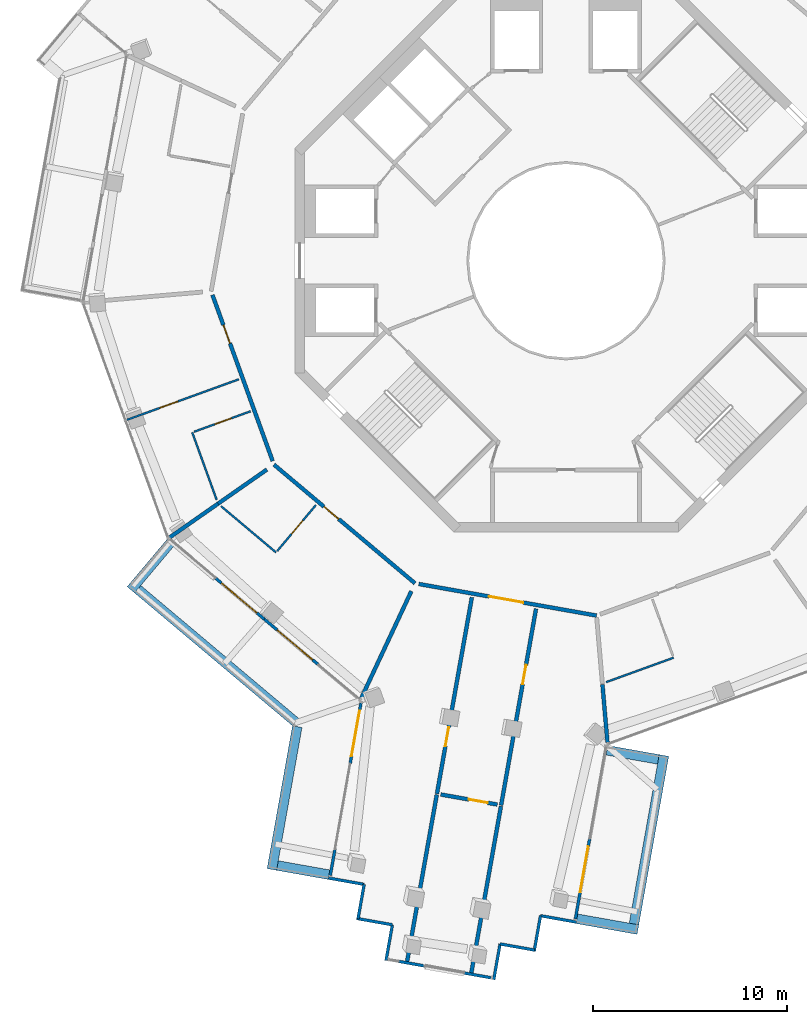
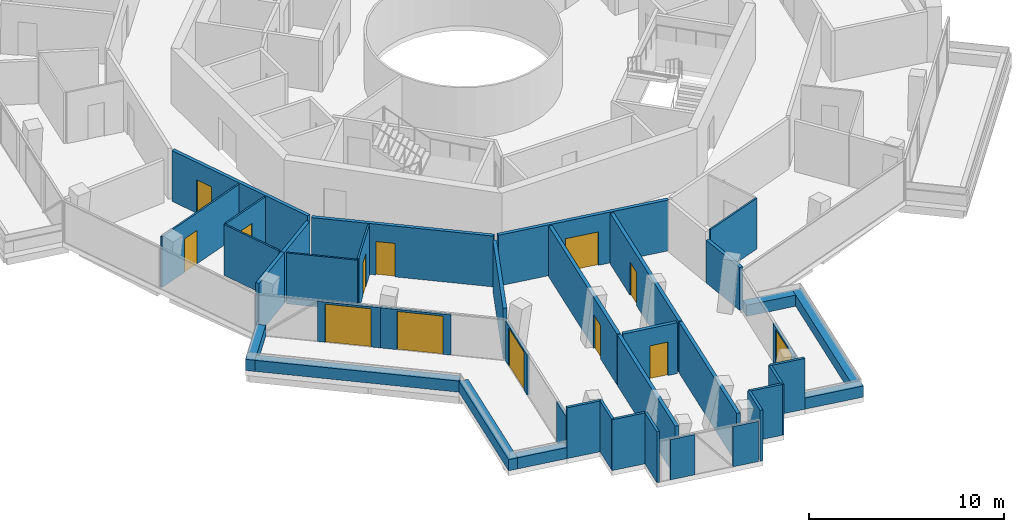
# One storey, part 14 of 22: 40 walls, 13 doors, 13 openings.
"""IFC4 building model written with IfcOpenShell, lengths in metres."""

from ifc_helpers import new_model, si_unit, direction, frame, frame_2d, origin, place, context, subcontext, project, spatial, rectangle, extrude, material, layer, layer_set, type_object, element, fill, save


model = new_model("IFC4")

# Units and contexts
model_context = context("Model", 3, precision=1e-05, world=origin(), true_north=direction((0.0, 1.0)))
body_context = subcontext(model_context, "Body", "Model", "MODEL_VIEW")
ifc_project = project(units=[si_unit("LENGTHUNIT", "METRE"), si_unit("AREAUNIT", "SQUARE_METRE"), si_unit("VOLUMEUNIT", "CUBIC_METRE"), si_unit("PLANEANGLEUNIT", "RADIAN"), si_unit("MASSUNIT", "GRAM", prefix="KILO")], contexts=[model_context])

# Site, building, storey
site_placement = place(None, origin())
site = spatial("IfcSite", under=ifc_project, at=site_placement, CompositionType="ELEMENT")
building_placement = place(site_placement, origin())
building = spatial("IfcBuilding", under=site, at=building_placement, Name="Verdalira Terraces Hotel", CompositionType="ELEMENT")
storey_placement = place(building_placement, frame((0.0, 0.0, 237.5)))
storey = spatial("IfcBuildingStorey", under=building, at=storey_placement, Name="L58", CompositionType="ELEMENT", Elevation=237.5)

# Walls
ifc_material_1 = material(Name="Concrete C40", Category="concrete")
ifc_layer_1 = layer(ifc_material_1, 0.5)
ifc_layer_set_1 = layer_set([ifc_layer_1], Name="Balcony planter trough with tree")
wall_type_1 = type_object("IfcWallType", Name="Balcony planter trough with tree", PredefinedType="SOLIDWALL", material=ifc_layer_set_1)
wall_1_placement = place(storey_placement, frame((-20.401611, -14.537842, 0.0), z_axis=(0.0, 0.0, 1.0), x_axis=(-0.64387015, -0.765134779, 0.0)))
element("IfcWall", 1, at=wall_1_placement, inside=storey, type_object=wall_type_1, Name="Balcony planter", PredefinedType="SOLIDWALL", context=body_context, shape_type="SweptSolid", body=[
    extrude(rectangle(XDim=3.199219, YDim=0.5, at=frame_2d((1.599609, 0.0))), origin(), (0.0, 0.0, 1.0), 0.699951),
])
wall_2_placement = place(storey_placement, frame((-22.109131, -16.955322, 0.0), z_axis=(0.0, 0.0, 1.0), x_axis=(0.765144719, -0.643858337, 0.0)))
element("IfcWall", 2, at=wall_2_placement, inside=storey, type_object=wall_type_1, Name="Balcony planter", PredefinedType="SOLIDWALL", context=body_context, shape_type="SweptSolid", body=[
    extrude(rectangle(XDim=10.652344, YDim=0.5, at=frame_2d((5.326172, 0.0))), origin(), (0.0, 0.0, 1.0), 0.699951),
])
wall_3_placement = place(storey_placement, frame((-13.873291, -24.048828, 0.0), z_axis=(0.0, 0.0, 1.0), x_axis=(-0.175031228, -0.984562882, 0.0)))
element("IfcWall", 3, at=wall_3_placement, inside=storey, type_object=wall_type_1, Name="Balcony planter", PredefinedType="SOLIDWALL", context=body_context, shape_type="SweptSolid", body=[
    extrude(rectangle(XDim=7.489014, YDim=0.5, at=frame_2d((3.744629, 0.0))), origin(), (0.0, 0.0, 1.0), 0.699951),
])
wall_4_placement = place(storey_placement, frame((-14.894043, -31.219727, 0.0), z_axis=(0.0, 0.0, 1.0), x_axis=(0.984561469, -0.175039181, 0.0)))
element("IfcWall", 4, at=wall_4_placement, inside=storey, type_object=wall_type_1, Name="Balcony planter", PredefinedType="SOLIDWALL", context=body_context, shape_type="SweptSolid", body=[
    extrude(rectangle(XDim=2.698975, YDim=0.5, at=frame_2d((1.349609, 0.0))), origin(), (0.0, 0.0, 1.0), 0.699951),
])
wall_5_placement = place(storey_placement, frame((0.564697, -33.967773, 0.0), z_axis=(0.0, 0.0, 1.0), x_axis=(0.984566892, -0.175008673, 0.0)))
element("IfcWall", 5, at=wall_5_placement, inside=storey, type_object=wall_type_1, Name="Balcony planter", PredefinedType="SOLIDWALL", context=body_context, shape_type="SweptSolid", body=[
    extrude(rectangle(XDim=3.19873, YDim=0.5, at=frame_2d((1.599365, 0.0))), origin(), (0.0, 0.0, 1.0), 0.699951),
])
wall_6_placement = place(storey_placement, frame((3.511719, -34.237793, 0.0), z_axis=(0.0, 0.0, 1.0), x_axis=(0.175030359, 0.984563037, 0.0)))
element("IfcWall", 6, at=wall_6_placement, inside=storey, type_object=wall_type_1, Name="Balcony planter", PredefinedType="SOLIDWALL", context=body_context, shape_type="SweptSolid", body=[
    extrude(rectangle(XDim=8.836426, YDim=0.5, at=frame_2d((4.418213, 0.0))), origin(), (0.0, 0.0, 1.0), 0.699951),
])
wall_7_placement = place(storey_placement, frame((4.768555, -25.740234, 0.0), z_axis=(0.0, 0.0, 1.0), x_axis=(-0.98456424, 0.175023592, 0.0)))
element("IfcWall", 7, at=wall_7_placement, inside=storey, type_object=wall_type_1, Name="Balcony planter", PredefinedType="SOLIDWALL", context=body_context, shape_type="SweptSolid", body=[
    extrude(rectangle(XDim=2.699219, YDim=0.5, at=frame_2d((1.349609, 0.0))), origin(), (0.0, 0.0, 1.0), 0.699951),
])

# Wall, opening, door
ifc_material_2 = material(Name="Moisture-resistant gypsum board partition")
ifc_layer_2 = layer(ifc_material_2, 0.10009765625)
ifc_layer_set_2 = layer_set([ifc_layer_2], Name="Bathroom partition 100 mm")
wall_type_2 = type_object("IfcWallType", Name="Bathroom partition 100 mm", PredefinedType="PARTITIONING", material=ifc_layer_set_2)
wall_8_placement = place(storey_placement, frame((-16.883789, -6.118408, 0.0), z_axis=(0.0, 0.0, 1.0), x_axis=(-0.940167222, -0.340713362, 0.0)))
wall_8 = element("IfcWall", 8, at=wall_8_placement, inside=storey, type_object=wall_type_2, Name="Bathroom partition", PredefinedType="PARTITIONING", context=body_context, shape_type="SweptSolid", body=[
    extrude(rectangle(XDim=6.150146, YDim=0.100098, at=frame_2d((3.075195, 0.0))), origin(), (0.0, 0.0, 1.0), 3.189941),
])
opening_1_placement = place(wall_8_placement, frame((3.350098, 0.0, 0.0)))
opening_1 = element("IfcOpeningElement", 9, at=opening_1_placement, cuts=wall_8, Name="Opening L58-107", PredefinedType="OPENING", context=body_context, shape_type="SweptSolid", body=[
    extrude(rectangle(XDim=1.0, YDim=2.100098, at=frame_2d((0.5, 1.050049))), frame((0.0, 0.060059, 0.0), z_axis=(0.0, -1.0, 0.0), x_axis=(1.0, 0.0, 0.0)), (0.0, 0.0, 1.0), 0.120117),
])
ifc_material_3 = material(Name="Timber door", Category="wood")
door_type_1 = type_object("IfcDoorType", Name="Suite internal door 1000 x 2100", OperationType="NOTDEFINED", PredefinedType="DOOR", material=ifc_material_3)
door_1_placement = place(opening_1_placement, origin())
door_1 = element("IfcDoor", 10, at=door_1_placement, inside=storey, type_object=door_type_1, Name="Suite internal door 5803", OperationType="SINGLE_SWING_LEFT", OverallHeight=2.10009765625, OverallWidth=1.0, PredefinedType="DOOR", context=body_context, shape_type="SweptSolid", body=[
    extrude(rectangle(XDim=1.0, YDim=2.100098, at=frame_2d((0.5, 1.050049))), frame((0.0, 0.024902, 0.0), z_axis=(0.0, -1.0, 0.0), x_axis=(1.0, 0.0, 0.0)), (0.0, 0.0, 1.0), 0.050049),
])
fill(opening_1, door_1)

# Wall
wall_9_placement = place(storey_placement, frame((-19.293213, -8.861816, 0.0), z_axis=(0.0, 0.0, 1.0), x_axis=(0.340642022, -0.940193072, 0.0)))
element("IfcWall", 11, at=wall_9_placement, inside=storey, type_object=wall_type_2, Name="Bathroom partition", PredefinedType="PARTITIONING", context=body_context, shape_type="SweptSolid", body=[
    extrude(rectangle(XDim=3.703857, YDim=0.100098, at=frame_2d((1.852051, 0.0))), origin(), (0.0, 0.0, 1.0), 3.189941),
])

# Wall, opening, door
wall_10_placement = place(storey_placement, frame((-16.284912, -7.771729, 0.0), z_axis=(0.0, 0.0, 1.0), x_axis=(-0.940165397, -0.340718397, 0.0)))
wall_10 = element("IfcWall", 12, at=wall_10_placement, inside=storey, type_object=wall_type_2, Name="Bathroom partition", PredefinedType="PARTITIONING", context=body_context, shape_type="SweptSolid", body=[
    extrude(rectangle(XDim=3.099854, YDim=0.100098, at=frame_2d((1.549805, 0.0))), origin(), (0.0, 0.0, 1.0), 3.189941),
])
opening_2_placement = place(wall_10_placement, frame((1.050049, 0.0, 0.0)))
opening_2 = element("IfcOpeningElement", 13, at=opening_2_placement, cuts=wall_10, Name="Opening L58-108", PredefinedType="OPENING", context=body_context, shape_type="SweptSolid", body=[
    extrude(rectangle(XDim=0.899902, YDim=2.100098, at=frame_2d((0.449951, 1.050049))), frame((0.0, 0.060059, 0.0), z_axis=(0.0, -1.0, 0.0), x_axis=(1.0, 0.0, 0.0)), (0.0, 0.0, 1.0), 0.120117),
])
ifc_material_4 = material(Name="Timber door", Category="wood")
door_type_2 = type_object("IfcDoorType", Name="Bathroom door 900 x 2100", OperationType="NOTDEFINED", PredefinedType="DOOR", material=ifc_material_4)
door_2_placement = place(opening_2_placement, origin())
door_2 = element("IfcDoor", 14, at=door_2_placement, inside=storey, type_object=door_type_2, Name="Bathroom door 5803", OperationType="SINGLE_SWING_RIGHT", OverallHeight=2.10009765625, OverallWidth=0.89990234375, PredefinedType="DOOR", context=body_context, shape_type="SweptSolid", body=[
    extrude(rectangle(XDim=0.899902, YDim=2.100098, at=frame_2d((0.449951, 1.050049))), frame((0.0, 0.024902, 0.0), z_axis=(0.0, -1.0, 0.0), x_axis=(1.0, 0.0, 0.0)), (0.0, 0.0, 1.0), 0.050049),
])
fill(opening_2, door_2)

# Wall
wall_11_placement = place(storey_placement, frame((-14.968262, -15.057129, 0.0), z_axis=(0.0, 0.0, 1.0), x_axis=(-0.765155095, 0.643846007, 0.0)))
element("IfcWall", 15, at=wall_11_placement, inside=storey, type_object=wall_type_2, Name="Bathroom partition", PredefinedType="PARTITIONING", context=body_context, shape_type="SweptSolid", body=[
    extrude(rectangle(XDim=3.711182, YDim=0.100098, at=frame_2d((1.855469, 0.0))), origin(), (0.0, 0.0, 1.0), 3.189941),
])

# Wall, opening, door
wall_12_placement = place(storey_placement, frame((-14.903809, -14.980713, 0.0), z_axis=(0.0, 0.0, 1.0), x_axis=(0.643817992, 0.765178668, 0.0)))
wall_12 = element("IfcWall", 16, at=wall_12_placement, inside=storey, type_object=wall_type_2, Name="Bathroom partition", PredefinedType="PARTITIONING", context=body_context, shape_type="SweptSolid", body=[
    extrude(rectangle(XDim=3.100098, YDim=0.100098, at=frame_2d((1.550049, 0.0))), origin(), (0.0, 0.0, 1.0), 3.189941),
])
opening_3_placement = place(wall_12_placement, frame((1.149902, 0.0, 0.0)))
opening_3 = element("IfcOpeningElement", 17, at=opening_3_placement, cuts=wall_12, Name="Opening L58-110", PredefinedType="OPENING", context=body_context, shape_type="SweptSolid", body=[
    extrude(rectangle(XDim=0.899902, YDim=2.100098, at=frame_2d((0.449951, 1.050049))), frame((0.0, 0.060059, 0.0), z_axis=(0.0, -1.0, 0.0), x_axis=(1.0, 0.0, 0.0)), (0.0, 0.0, 1.0), 0.120117),
])
door_3_placement = place(opening_3_placement, origin())
door_3 = element("IfcDoor", 18, at=door_3_placement, inside=storey, type_object=door_type_2, Name="Bathroom door 5804", OperationType="SINGLE_SWING_LEFT", OverallHeight=2.10009765625, OverallWidth=0.89990234375, PredefinedType="DOOR", context=body_context, shape_type="SweptSolid", body=[
    extrude(rectangle(XDim=0.899902, YDim=2.100098, at=frame_2d((0.449951, 1.050049))), frame((0.0, 0.024902, 0.0), z_axis=(0.0, -1.0, 0.0), x_axis=(1.0, 0.0, 0.0)), (0.0, 0.0, 1.0), 0.050049),
])
fill(opening_3, door_3)

# Walls
wall_13_placement = place(storey_placement, frame((5.555664, -20.491455, 0.0), z_axis=(0.0, 0.0, 1.0), x_axis=(-0.940171961, -0.340700285, 0.0)))
element("IfcWall", 19, at=wall_13_placement, inside=storey, type_object=wall_type_2, Name="Bathroom partition", PredefinedType="PARTITIONING", context=body_context, shape_type="SweptSolid", body=[
    extrude(rectangle(XDim=3.704102, YDim=0.100098, at=frame_2d((1.852051, 0.0))), origin(), (0.0, 0.0, 1.0), 3.189941),
])
ifc_material_5 = material(Name="Fire-rated gypsum board wall")
ifc_layer_3 = layer(ifc_material_5, 0.199951171875)
ifc_layer_set_3 = layer_set([ifc_layer_3], Name="Demising wall 200 mm")
wall_type_3 = type_object("IfcWallType", Name="Demising wall 200 mm", PredefinedType="SOLIDWALL", material=ifc_layer_set_3)
wall_14_placement = place(storey_placement, frame((-17.960693, -12.539062, 0.0), z_axis=(0.0, 0.0, 1.0), x_axis=(-0.819962324, -0.572417494, 0.0)))
element("IfcWall", 20, at=wall_14_placement, inside=storey, type_object=wall_type_3, Name="Demising wall", PredefinedType="SOLIDWALL", context=body_context, shape_type="SweptSolid", body=[
    extrude(rectangle(XDim=3.059326, YDim=0.199951, at=frame_2d((1.529785, 0.0))), origin(), (0.0, 0.0, 1.0), 3.189941),
])
wall_15_placement = place(storey_placement, frame((-15.441406, -10.780029, 0.0), z_axis=(0.0, 0.0, 1.0), x_axis=(-0.819914454, -0.572486059, 0.0)))
element("IfcWall", 21, at=wall_15_placement, inside=storey, type_object=wall_type_3, Name="Demising wall", PredefinedType="SOLIDWALL", context=body_context, shape_type="SweptSolid", body=[
    extrude(rectangle(XDim=3.07251, YDim=0.199951, at=frame_2d((1.536133, 0.0))), origin(), (0.0, 0.0, 1.0), 3.189941),
])
wall_16_placement = place(storey_placement, frame((-10.581787, -22.610352, 0.0), z_axis=(0.0, 0.0, 1.0), x_axis=(0.423859501, 0.905727952, 0.0)))
element("IfcWall", 22, at=wall_16_placement, inside=storey, type_object=wall_type_3, Name="Demising wall", PredefinedType="SOLIDWALL", context=body_context, shape_type="SweptSolid", body=[
    extrude(rectangle(XDim=6.13208, YDim=0.199951, at=frame_2d((3.065918, 0.0))), origin(), (0.0, 0.0, 1.0), 3.189941),
])
wall_17_placement = place(storey_placement, frame((-6.669434, -27.564453, 0.0), z_axis=(0.0, 0.0, 1.0), x_axis=(-0.175036344, -0.984561973, 0.0)))
element("IfcWall", 23, at=wall_17_placement, inside=storey, type_object=wall_type_3, Name="Demising wall", PredefinedType="SOLIDWALL", context=body_context, shape_type="SweptSolid", body=[
    extrude(rectangle(XDim=8.738525, YDim=0.199951, at=frame_2d((4.369141, 0.0))), origin(), (0.0, 0.0, 1.0), 3.189941),
])

# Wall, opening, door
wall_18_placement = place(storey_placement, frame((-6.661621, -27.519287, 0.0), z_axis=(0.0, 0.0, 1.0), x_axis=(0.175034356, 0.984562326, 0.0)))
wall_18 = element("IfcWall", 24, at=wall_18_placement, inside=storey, type_object=wall_type_3, Name="Demising wall", PredefinedType="SOLIDWALL", context=body_context, shape_type="SweptSolid", body=[
    extrude(rectangle(XDim=10.302002, YDim=0.199951, at=frame_2d((5.150879, 0.0))), origin(), (0.0, 0.0, 1.0), 3.189941),
])
opening_4_placement = place(wall_18_placement, frame((2.5, 0.0, 0.0)))
opening_4 = element("IfcOpeningElement", 25, at=opening_4_placement, cuts=wall_18, Name="Opening L58-112", PredefinedType="OPENING", context=body_context, shape_type="SweptSolid", body=[
    extrude(rectangle(XDim=1.0, YDim=2.100098, at=frame_2d((0.5, 1.050049))), frame((0.0, 0.109863, 0.0), z_axis=(0.0, -1.0, 0.0), x_axis=(1.0, 0.0, 0.0)), (0.0, 0.0, 1.0), 0.219971),
])
ifc_material_6 = material(Name="Timber fire door", Category="wood")
door_type_3 = type_object("IfcDoorType", Name="Public room door 1000 x 2100", OperationType="NOTDEFINED", PredefinedType="DOOR", material=ifc_material_6)
door_4_placement = place(opening_4_placement, origin())
door_4 = element("IfcDoor", 26, at=door_4_placement, inside=storey, type_object=door_type_3, Name="Public room door 5805", OperationType="SINGLE_SWING_LEFT", OverallHeight=2.10009765625, OverallWidth=1.0, PredefinedType="DOOR", context=body_context, shape_type="SweptSolid", body=[
    extrude(rectangle(XDim=1.0, YDim=2.100098, at=frame_2d((0.5, 1.050049))), frame((0.0, 0.024902, 0.0), z_axis=(0.0, -1.0, 0.0), x_axis=(1.0, 0.0, 0.0)), (0.0, 0.0, 1.0), 0.050049),
])
fill(opening_4, door_4)

wall_19_placement = place(storey_placement, frame((-3.544922, -28.071289, 0.0), z_axis=(0.0, 0.0, 1.0), x_axis=(-0.984558093, 0.175058167, 0.0)))
wall_19 = element("IfcWall", 27, at=wall_19_placement, inside=storey, type_object=wall_type_3, Name="Demising wall", PredefinedType="SOLIDWALL", context=body_context, shape_type="SweptSolid", body=[
    extrude(rectangle(XDim=2.965088, YDim=0.199951, at=frame_2d((1.482422, 0.0))), origin(), (0.0, 0.0, 1.0), 3.189941),
])
opening_5_placement = place(wall_19_placement, frame((0.5, 0.0, 0.0)))
opening_5 = element("IfcOpeningElement", 28, at=opening_5_placement, cuts=wall_19, Name="Opening L58-114", PredefinedType="OPENING", context=body_context, shape_type="SweptSolid", body=[
    extrude(rectangle(XDim=1.0, YDim=2.100098, at=frame_2d((0.5, 1.050049))), frame((0.0, 0.109863, 0.0), z_axis=(0.0, -1.0, 0.0), x_axis=(1.0, 0.0, 0.0)), (0.0, 0.0, 1.0), 0.219971),
])
door_5_placement = place(opening_5_placement, origin())
door_5 = element("IfcDoor", 29, at=door_5_placement, inside=storey, type_object=door_type_3, Name="Public room door 5805", OperationType="SINGLE_SWING_LEFT", OverallHeight=2.10009765625, OverallWidth=1.0, PredefinedType="DOOR", context=body_context, shape_type="SweptSolid", body=[
    extrude(rectangle(XDim=1.0, YDim=2.100098, at=frame_2d((0.5, 1.050049))), frame((0.0, 0.024902, 0.0), z_axis=(0.0, -1.0, 0.0), x_axis=(1.0, 0.0, 0.0)), (0.0, 0.0, 1.0), 0.050049),
])
fill(opening_5, door_5)

# Wall
wall_20_placement = place(storey_placement, frame((-4.885986, -36.756836, 0.0), z_axis=(0.0, 0.0, 1.0), x_axis=(0.175036344, 0.984561973, 0.0)))
element("IfcWall", 30, at=wall_20_placement, inside=storey, type_object=wall_type_3, Name="Demising wall", PredefinedType="SOLIDWALL", context=body_context, shape_type="SweptSolid", body=[
    extrude(rectangle(XDim=8.738525, YDim=0.199951, at=frame_2d((4.369141, 0.0))), origin(), (0.0, 0.0, 1.0), 3.189941),
])

# Wall, opening, door
wall_21_placement = place(storey_placement, frame((-1.54541, -17.965088, 0.0), z_axis=(0.0, 0.0, 1.0), x_axis=(-0.175011383, -0.98456641, 0.0)))
wall_21 = element("IfcWall", 31, at=wall_21_placement, inside=storey, type_object=wall_type_3, Name="Demising wall", PredefinedType="SOLIDWALL", context=body_context, shape_type="SweptSolid", body=[
    extrude(rectangle(XDim=10.302002, YDim=0.199951, at=frame_2d((5.150879, 0.0))), origin(), (0.0, 0.0, 1.0), 3.189941),
])
opening_6_placement = place(wall_21_placement, frame((2.949951, 0.0, 0.0)))
opening_6 = element("IfcOpeningElement", 32, at=opening_6_placement, cuts=wall_21, Name="Opening L58-113", PredefinedType="OPENING", context=body_context, shape_type="SweptSolid", body=[
    extrude(rectangle(XDim=1.0, YDim=2.100098, at=frame_2d((0.5, 1.050049))), frame((0.0, 0.109863, 0.0), z_axis=(0.0, -1.0, 0.0), x_axis=(1.0, 0.0, 0.0)), (0.0, 0.0, 1.0), 0.219971),
])
door_6_placement = place(opening_6_placement, origin())
door_6 = element("IfcDoor", 33, at=door_6_placement, inside=storey, type_object=door_type_3, Name="Public room door 5805", OperationType="SINGLE_SWING_LEFT", OverallHeight=2.10009765625, OverallWidth=1.0, PredefinedType="DOOR", context=body_context, shape_type="SweptSolid", body=[
    extrude(rectangle(XDim=1.0, YDim=2.100098, at=frame_2d((0.5, 1.050049))), frame((0.0, 0.024902, 0.0), z_axis=(0.0, -1.0, 0.0), x_axis=(1.0, 0.0, 0.0)), (0.0, 0.0, 1.0), 0.050049),
])
fill(opening_6, door_6)

# Wall
ifc_material_7 = material(Name="Fire-rated gypsum board wall")
ifc_layer_4 = layer(ifc_material_7, 0.199951171875)
ifc_layer_set_4 = layer_set([ifc_layer_4], Name="Demising wall 200 mm to beam soffit")
wall_type_4 = type_object("IfcWallType", Name="Demising wall 200 mm to beam soffit", PredefinedType="SOLIDWALL", material=ifc_layer_set_4)
wall_22_placement = place(storey_placement, frame((1.882812, -21.871826, 0.0), z_axis=(0.0, 0.0, 1.0), x_axis=(0.085775953, -0.996314451, 0.0)))
element("IfcWall", 34, at=wall_22_placement, inside=storey, type_object=wall_type_4, Name="Demising wall", PredefinedType="SOLIDWALL", context=body_context, shape_type="SweptSolid", body=[
    extrude(rectangle(XDim=3.01123, YDim=0.199951, at=frame_2d((1.505615, 0.0))), origin(), (0.0, 0.0, 1.0), 2.689941),
])

# Wall, opening, door
ifc_material_8 = material(Name="Fire-rated gypsum board wall")
ifc_layer_5 = layer(ifc_material_8, 0.199951171875)
ifc_layer_set_5 = layer_set([ifc_layer_5], Name="Guest corridor wall 200 mm")
wall_type_5 = type_object("IfcWallType", Name="Guest corridor wall 200 mm", PredefinedType="SOLIDWALL", material=ifc_layer_set_5)
wall_23_placement = place(storey_placement, frame((-15.142822, -10.335938, 0.0), z_axis=(0.0, 0.0, 1.0), x_axis=(-0.340697837, 0.940172848, 0.0)))
wall_23 = element("IfcWall", 35, at=wall_23_placement, inside=storey, type_object=wall_type_5, Name="Guest corridor wall", PredefinedType="SOLIDWALL", context=body_context, shape_type="SweptSolid", body=[
    extrude(rectangle(XDim=9.116455, YDim=0.199951, at=frame_2d((4.558105, 0.0))), origin(), (0.0, 0.0, 1.0), 3.189941),
])
opening_7_placement = place(wall_23_placement, frame((6.458252, 0.0, 0.0)))
opening_7 = element("IfcOpeningElement", 36, at=opening_7_placement, cuts=wall_23, Name="Opening L58-106", PredefinedType="OPENING", context=body_context, shape_type="SweptSolid", body=[
    extrude(rectangle(XDim=1.0, YDim=2.100098, at=frame_2d((0.5, 1.050049))), frame((0.0, 0.109863, 0.0), z_axis=(0.0, -1.0, 0.0), x_axis=(1.0, 0.0, 0.0)), (0.0, 0.0, 1.0), 0.219971),
])
ifc_material_9 = material(Name="Timber fire door", Category="wood")
door_type_4 = type_object("IfcDoorType", Name="Guest entry door 1000 x 2100", OperationType="NOTDEFINED", PredefinedType="DOOR", material=ifc_material_9)
door_7_placement = place(opening_7_placement, origin())
door_7 = element("IfcDoor", 37, at=door_7_placement, inside=storey, type_object=door_type_4, Name="Guest entry door 5803", OperationType="SINGLE_SWING_LEFT", OverallHeight=2.10009765625, OverallWidth=1.0, PredefinedType="DOOR", context=body_context, shape_type="SweptSolid", body=[
    extrude(rectangle(XDim=1.0, YDim=2.100098, at=frame_2d((0.5, 1.050049))), frame((0.0, 0.024902, 0.0), z_axis=(0.0, -1.0, 0.0), x_axis=(1.0, 0.0, 0.0)), (0.0, 0.0, 1.0), 0.050049),
])
fill(opening_7, door_7)

wall_24_placement = place(storey_placement, frame((-7.792969, -16.651367, 0.0), z_axis=(0.0, 0.0, 1.0), x_axis=(-0.765159283, 0.643841029, 0.0)))
wall_24 = element("IfcWall", 38, at=wall_24_placement, inside=storey, type_object=wall_type_5, Name="Guest corridor wall", PredefinedType="SOLIDWALL", context=body_context, shape_type="SweptSolid", body=[
    extrude(rectangle(XDim=9.516602, YDim=0.199951, at=frame_2d((4.758301, 0.0))), origin(), (0.0, 0.0, 1.0), 3.189941),
])
opening_8_placement = place(wall_24_placement, frame((5.149902, 0.0, 0.0)))
opening_8 = element("IfcOpeningElement", 39, at=opening_8_placement, cuts=wall_24, Name="Opening L58-109", PredefinedType="OPENING", context=body_context, shape_type="SweptSolid", body=[
    extrude(rectangle(XDim=1.0, YDim=2.100098, at=frame_2d((0.5, 1.050049))), frame((0.0, 0.109863, 0.0), z_axis=(0.0, -1.0, 0.0), x_axis=(1.0, 0.0, 0.0)), (0.0, 0.0, 1.0), 0.219971),
])
door_8_placement = place(opening_8_placement, origin())
door_8 = element("IfcDoor", 40, at=door_8_placement, inside=storey, type_object=door_type_4, Name="Guest entry door 5804", OperationType="SINGLE_SWING_LEFT", OverallHeight=2.10009765625, OverallWidth=1.0, PredefinedType="DOOR", context=body_context, shape_type="SweptSolid", body=[
    extrude(rectangle(XDim=1.0, YDim=2.100098, at=frame_2d((0.5, 1.050049))), frame((0.0, 0.024902, 0.0), z_axis=(0.0, -1.0, 0.0), x_axis=(1.0, 0.0, 0.0)), (0.0, 0.0, 1.0), 0.050049),
])
fill(opening_8, door_8)

wall_25_placement = place(storey_placement, frame((1.576904, -18.316895, 0.0), z_axis=(0.0, 0.0, 1.0), x_axis=(-0.984565418, 0.175016965, 0.0)))
wall_25 = element("IfcWall", 41, at=wall_25_placement, inside=storey, type_object=wall_type_5, Name="Guest corridor wall", PredefinedType="SOLIDWALL", context=body_context, shape_type="SweptSolid", body=[
    extrude(rectangle(XDim=9.316895, YDim=0.199951, at=frame_2d((4.658447, 0.0))), origin(), (0.0, 0.0, 1.0), 3.189941),
])
opening_9_placement = place(wall_25_placement, frame((3.835449, 0.0, 0.0)))
opening_9 = element("IfcOpeningElement", 42, at=opening_9_placement, cuts=wall_25, Name="Opening L58-111", PredefinedType="OPENING", context=body_context, shape_type="SweptSolid", body=[
    extrude(rectangle(XDim=1.800049, YDim=2.100098, at=frame_2d((0.899902, 1.050049))), frame((0.0, 0.109863, 0.0), z_axis=(0.0, -1.0, 0.0), x_axis=(1.0, 0.0, 0.0)), (0.0, 0.0, 1.0), 0.219971),
])
ifc_material_10 = material(Name="Timber fire door", Category="wood")
door_type_5 = type_object("IfcDoorType", Name="Public room double door 1800 x 2100", OperationType="NOTDEFINED", PredefinedType="DOOR", material=ifc_material_10)
door_9_placement = place(opening_9_placement, origin())
door_9 = element("IfcDoor", 43, at=door_9_placement, inside=storey, type_object=door_type_5, Name="Public room double door 5805", OperationType="DOUBLE_DOOR_SINGLE_SWING", OverallHeight=2.10009765625, OverallWidth=1.800048828125, PredefinedType="DOOR", context=body_context, shape_type="SweptSolid", body=[
    extrude(rectangle(XDim=1.800049, YDim=2.100098, at=frame_2d((0.899902, 1.050049))), frame((0.0, 0.024902, 0.0), z_axis=(0.0, -1.0, 0.0), x_axis=(1.0, 0.0, 0.0)), (0.0, 0.0, 1.0), 0.050049),
])
fill(opening_9, door_9)

# Walls
ifc_material_11 = material(Name="Terracotta cladding", Category="masonry")
ifc_layer_6 = layer(ifc_material_11, 0.14990234375)
ifc_layer_set_6 = layer_set([ifc_layer_6], Name="Terracotta clad wall 150")
wall_type_6 = type_object("IfcWallType", Name="Terracotta clad wall 150", PredefinedType="SOLIDWALL", material=ifc_layer_set_6)
wall_26_placement = place(storey_placement, frame((-12.266357, -31.864502, 0.0), z_axis=(0.0, 0.0, 1.0), x_axis=(0.984566497, -0.175010894, 0.0)))
element("IfcWall", 44, at=wall_26_placement, inside=storey, type_object=wall_type_6, Name="Terracotta cladding wall", PredefinedType="SOLIDWALL", context=body_context, shape_type="SweptSolid", body=[
    extrude(rectangle(XDim=1.875, YDim=0.149902, at=frame_2d((0.9375, 0.0))), origin(), (0.0, 0.0, 1.0), 3.189941),
])
wall_27_placement = place(storey_placement, frame((-10.42041, -32.192627, 0.0), z_axis=(0.0, 0.0, 1.0), x_axis=(-0.174969055, -0.984573933, 0.0)))
element("IfcWall", 45, at=wall_27_placement, inside=storey, type_object=wall_type_6, Name="Terracotta cladding wall", PredefinedType="SOLIDWALL", context=body_context, shape_type="SweptSolid", body=[
    extrude(rectangle(XDim=1.800049, YDim=0.149902, at=frame_2d((0.899902, 0.0))), origin(), (0.0, 0.0, 1.0), 3.189941),
])
for number, where, z_axis, x_axis, name in (
    (46, (-10.809082, -33.951904, 0.0), (0.0, 0.0, 1.0), (0.984566497, -0.175010894, 0.0), "Terracotta cladding wall"),
    (47, (-8.963135, -34.280029, 0.0), (0.0, 0.0, 1.0), (-0.175010894, -0.984566497, 0.0), "Terracotta cladding wall"),
):
    element("IfcWall", number, at=place(storey_placement, frame(where, z_axis=z_axis, x_axis=x_axis)), inside=storey, type_object=wall_type_6, Name=name, PredefinedType="SOLIDWALL", context=body_context, shape_type="SweptSolid", body=[
        extrude(rectangle(XDim=1.875, YDim=0.149902, at=frame_2d((0.9375, 0.0))), origin(), (0.0, 0.0, 1.0), 3.189941),
    ])
wall_28_placement = place(storey_placement, frame((-3.728516, -37.11499, 0.0), z_axis=(0.0, 0.0, 1.0), x_axis=(0.17498846, 0.984570485, 0.0)))
element("IfcWall", 48, at=wall_28_placement, inside=storey, type_object=wall_type_6, Name="Terracotta cladding wall", PredefinedType="SOLIDWALL", context=body_context, shape_type="SweptSolid", body=[
    extrude(rectangle(XDim=1.875244, YDim=0.149902, at=frame_2d((0.9375, 0.0))), origin(), (0.0, 0.0, 1.0), 3.189941),
])
wall_29_placement = place(storey_placement, frame((-3.400391, -35.268799, 0.0), z_axis=(0.0, 0.0, 1.0), x_axis=(0.984550559, -0.175100533, 0.0)))
element("IfcWall", 49, at=wall_29_placement, inside=storey, type_object=wall_type_6, Name="Terracotta cladding wall", PredefinedType="SOLIDWALL", context=body_context, shape_type="SweptSolid", body=[
    extrude(rectangle(XDim=1.800049, YDim=0.149902, at=frame_2d((0.899902, 0.0))), origin(), (0.0, 0.0, 1.0), 3.189941),
])
for number, where, z_axis, x_axis, name in (
    (50, (-1.641357, -35.657715, 0.0), (0.0, 0.0, 1.0), (0.175137118, 0.984544052, 0.0), "Terracotta cladding wall"),
    (51, (-1.312988, -33.811768, 0.0), (0.0, 0.0, 1.0), (0.984566497, -0.175010894, 0.0), "Terracotta cladding wall"),
):
    element("IfcWall", number, at=place(storey_placement, frame(where, z_axis=z_axis, x_axis=x_axis)), inside=storey, type_object=wall_type_6, Name=name, PredefinedType="SOLIDWALL", context=body_context, shape_type="SweptSolid", body=[
        extrude(rectangle(XDim=1.875, YDim=0.149902, at=frame_2d((0.9375, 0.0))), origin(), (0.0, 0.0, 1.0), 3.189941),
    ])
ifc_material_12 = material(Name="Terracotta cladding", Category="masonry")
ifc_layer_7 = layer(ifc_material_12, 0.14990234375)
ifc_layer_set_7 = layer_set([ifc_layer_7], Name="Terracotta column pier 150")
wall_type_7 = type_object("IfcWallType", Name="Terracotta column pier 150", PredefinedType="SOLIDWALL", material=ifc_layer_set_7)
wall_30_placement = place(storey_placement, frame((-11.925537, -30.376221, 0.0), z_axis=(0.0, 0.0, 1.0), x_axis=(-0.175147665, -0.984542176, 0.0)))
element("IfcWall", 52, at=wall_30_placement, inside=storey, type_object=wall_type_7, Name="Terracotta column pier", PredefinedType="SOLIDWALL", context=body_context, shape_type="SweptSolid", body=[
    extrude(rectangle(XDim=1.379883, YDim=0.149902, at=frame_2d((0.689941, 0.0))), origin(), (0.0, 0.0, 1.0), 2.524902),
])
wall_31_placement = place(storey_placement, frame((-8.623535, -36.168701, 0.0), z_axis=(0.0, 0.0, 1.0), x_axis=(0.984574888, -0.174963682, 0.0)))
element("IfcWall", 53, at=wall_31_placement, inside=storey, type_object=wall_type_7, Name="Terracotta column pier", PredefinedType="SOLIDWALL", context=body_context, shape_type="SweptSolid", body=[
    extrude(rectangle(XDim=1.359131, YDim=0.149902, at=frame_2d((0.679688, 0.0))), origin(), (0.0, 0.0, 1.0), 2.524902),
])
wall_32_placement = place(storey_placement, frame((-5.256348, -36.76709, 0.0), z_axis=(0.0, 0.0, 1.0), x_axis=(0.984563171, -0.175029605, 0.0)))
element("IfcWall", 54, at=wall_32_placement, inside=storey, type_object=wall_type_7, Name="Terracotta column pier", PredefinedType="SOLIDWALL", context=body_context, shape_type="SweptSolid", body=[
    extrude(rectangle(XDim=1.410156, YDim=0.149902, at=frame_2d((0.705078, 0.0))), origin(), (0.0, 0.0, 1.0), 2.524902),
])

# Wall, opening, door
ifc_material_13 = material(Name="Terracotta cladding", Category="masonry")
ifc_layer_8 = layer(ifc_material_13, 0.14990234375)
ifc_layer_set_8 = layer_set([ifc_layer_8], Name="Terracotta door pier 150")
wall_type_8 = type_object("IfcWallType", Name="Terracotta door pier 150", PredefinedType="SOLIDWALL", material=ifc_layer_set_8)
wall_33_placement = place(storey_placement, frame((-18.095459, -16.37915, 0.0), z_axis=(0.0, 0.0, 1.0), x_axis=(0.765168231, -0.643830395, 0.0)))
wall_33 = element("IfcWall", 55, at=wall_33_placement, inside=storey, type_object=wall_type_8, Name="Terracotta door pier", PredefinedType="SOLIDWALL", context=body_context, shape_type="SweptSolid", body=[
    extrude(rectangle(XDim=3.299805, YDim=0.149902, at=frame_2d((1.649902, 0.0))), origin(), (0.0, 0.0, 1.0), 2.524902),
])
opening_10_placement = place(wall_33_placement, frame((0.399902, 0.0, 0.0)))
opening_10 = element("IfcOpeningElement", 56, at=opening_10_placement, cuts=wall_33, Name="Opening L58-B06", PredefinedType="OPENING", context=body_context, shape_type="SweptSolid", body=[
    extrude(rectangle(XDim=2.399902, YDim=2.399902, at=frame_2d((1.199951, 1.199951))), frame((0.0, 0.084961, 0.0), z_axis=(0.0, -1.0, 0.0), x_axis=(1.0, 0.0, 0.0)), (0.0, 0.0, 1.0), 0.169922),
])
ifc_material_14 = material(Name="Clear glass", Category="glass")
door_type_6 = type_object("IfcDoorType", Name="Balcony sliding door 2400x2400", OperationType="NOTDEFINED", PredefinedType="DOOR", material=ifc_material_14)
door_10_placement = place(opening_10_placement, origin())
door_10 = element("IfcDoor", 57, at=door_10_placement, inside=storey, type_object=door_type_6, Name="Balcony sliding door", OperationType="SLIDING_TO_RIGHT", OverallHeight=2.39990234375, OverallWidth=2.39990234375, PredefinedType="DOOR", context=body_context, shape_type="SweptSolid", body=[
    extrude(rectangle(XDim=2.399902, YDim=2.399902, at=frame_2d((1.199951, 1.199951))), frame((0.0, 0.024902, 0.0), z_axis=(0.0, -1.0, 0.0), x_axis=(1.0, 0.0, 0.0)), (0.0, 0.0, 1.0), 0.050049),
])
fill(opening_10, door_10)

wall_34_placement = place(storey_placement, frame((-15.570557, -18.503662, 0.0), z_axis=(0.0, 0.0, 1.0), x_axis=(0.765118664, -0.643889299, 0.0)))
wall_34 = element("IfcWall", 58, at=wall_34_placement, inside=storey, type_object=wall_type_8, Name="Terracotta door pier", PredefinedType="SOLIDWALL", context=body_context, shape_type="SweptSolid", body=[
    extrude(rectangle(XDim=3.661133, YDim=0.149902, at=frame_2d((1.830566, 0.0))), origin(), (0.0, 0.0, 1.0), 2.524902),
])
opening_11_placement = place(wall_34_placement, frame((0.861328, 0.0, 0.0)))
opening_11 = element("IfcOpeningElement", 59, at=opening_11_placement, cuts=wall_34, Name="Opening L58-B07", PredefinedType="OPENING", context=body_context, shape_type="SweptSolid", body=[
    extrude(rectangle(XDim=2.399902, YDim=2.399902, at=frame_2d((1.199951, 1.199951))), frame((0.0, 0.084961, 0.0), z_axis=(0.0, -1.0, 0.0), x_axis=(1.0, 0.0, 0.0)), (0.0, 0.0, 1.0), 0.169922),
])
door_11_placement = place(opening_11_placement, origin())
door_11 = element("IfcDoor", 60, at=door_11_placement, inside=storey, type_object=door_type_6, Name="Balcony sliding door", OperationType="SLIDING_TO_LEFT", OverallHeight=2.39990234375, OverallWidth=2.39990234375, PredefinedType="DOOR", context=body_context, shape_type="SweptSolid", body=[
    extrude(rectangle(XDim=2.399902, YDim=2.399902, at=frame_2d((1.199951, 1.199951))), frame((0.0, 0.024902, 0.0), z_axis=(0.0, -1.0, 0.0), x_axis=(1.0, 0.0, 0.0)), (0.0, 0.0, 1.0), 0.050049),
])
fill(opening_11, door_11)

wall_35_placement = place(storey_placement, frame((-10.58374, -22.828369, 0.0), z_axis=(0.0, 0.0, 1.0), x_axis=(-0.1750169, -0.984565429, 0.0)))
wall_35 = element("IfcWall", 61, at=wall_35_placement, inside=storey, type_object=wall_type_8, Name="Terracotta door pier", PredefinedType="SOLIDWALL", context=body_context, shape_type="SweptSolid", body=[
    extrude(rectangle(XDim=3.199951, YDim=0.149902, at=frame_2d((1.600098, 0.0))), origin(), (0.0, 0.0, 1.0), 2.524902),
])
opening_12_placement = place(wall_35_placement, frame((0.399902, 0.0, 0.0)))
opening_12 = element("IfcOpeningElement", 62, at=opening_12_placement, cuts=wall_35, Name="Opening L58-B08", PredefinedType="OPENING", context=body_context, shape_type="SweptSolid", body=[
    extrude(rectangle(XDim=2.399902, YDim=2.399902, at=frame_2d((1.199951, 1.199951))), frame((0.0, 0.084961, 0.0), z_axis=(0.0, -1.0, 0.0), x_axis=(1.0, 0.0, 0.0)), (0.0, 0.0, 1.0), 0.169922),
])
door_12_placement = place(opening_12_placement, origin())
door_12 = element("IfcDoor", 63, at=door_12_placement, inside=storey, type_object=door_type_6, Name="Balcony sliding door", OperationType="SLIDING_TO_LEFT", OverallHeight=2.39990234375, OverallWidth=2.39990234375, PredefinedType="DOOR", context=body_context, shape_type="SweptSolid", body=[
    extrude(rectangle(XDim=2.399902, YDim=2.399902, at=frame_2d((1.199951, 1.199951))), frame((0.0, 0.024902, 0.0), z_axis=(0.0, -1.0, 0.0), x_axis=(1.0, 0.0, 0.0)), (0.0, 0.0, 1.0), 0.050049),
])
fill(opening_12, door_12)

wall_36_placement = place(storey_placement, frame((0.484619, -33.983887, 0.0), z_axis=(0.0, 0.0, 1.0), x_axis=(0.175015846, 0.984565617, 0.0)))
wall_36 = element("IfcWall", 64, at=wall_36_placement, inside=storey, type_object=wall_type_8, Name="Terracotta door pier", PredefinedType="SOLIDWALL", context=body_context, shape_type="SweptSolid", body=[
    extrude(rectangle(XDim=4.209961, YDim=0.149902, at=frame_2d((2.10498, 0.0))), origin(), (0.0, 0.0, 1.0), 2.524902),
])
opening_13_placement = place(wall_36_placement, frame((1.409912, 0.0, 0.0)))
opening_13 = element("IfcOpeningElement", 65, at=opening_13_placement, cuts=wall_36, Name="Opening L58-B09", PredefinedType="OPENING", context=body_context, shape_type="SweptSolid", body=[
    extrude(rectangle(XDim=2.399902, YDim=2.399902, at=frame_2d((1.199951, 1.199951))), frame((0.0, 0.084961, 0.0), z_axis=(0.0, -1.0, 0.0), x_axis=(1.0, 0.0, 0.0)), (0.0, 0.0, 1.0), 0.169922),
])
door_13_placement = place(opening_13_placement, origin())
door_13 = element("IfcDoor", 66, at=door_13_placement, inside=storey, type_object=door_type_6, Name="Balcony sliding door", OperationType="SLIDING_TO_LEFT", OverallHeight=2.39990234375, OverallWidth=2.39990234375, PredefinedType="DOOR", context=body_context, shape_type="SweptSolid", body=[
    extrude(rectangle(XDim=2.399902, YDim=2.399902, at=frame_2d((1.199951, 1.199951))), frame((0.0, 0.024902, 0.0), z_axis=(0.0, -1.0, 0.0), x_axis=(1.0, 0.0, 0.0)), (0.0, 0.0, 1.0), 0.050049),
])
fill(opening_13, door_13)

save(model, "model.ifc")
